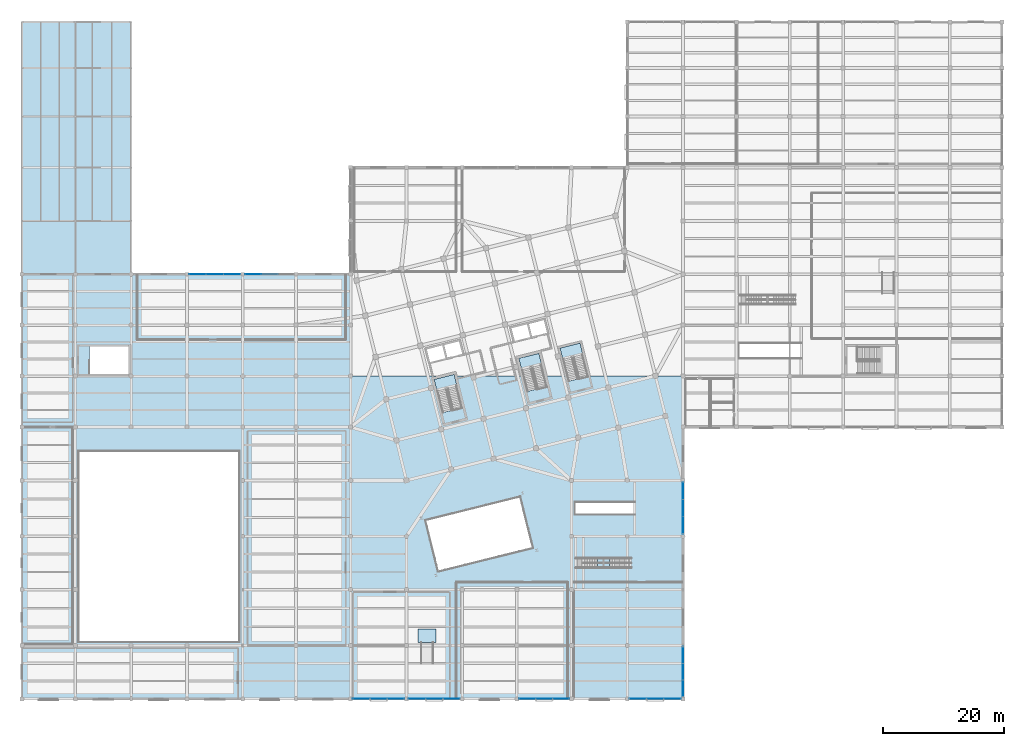
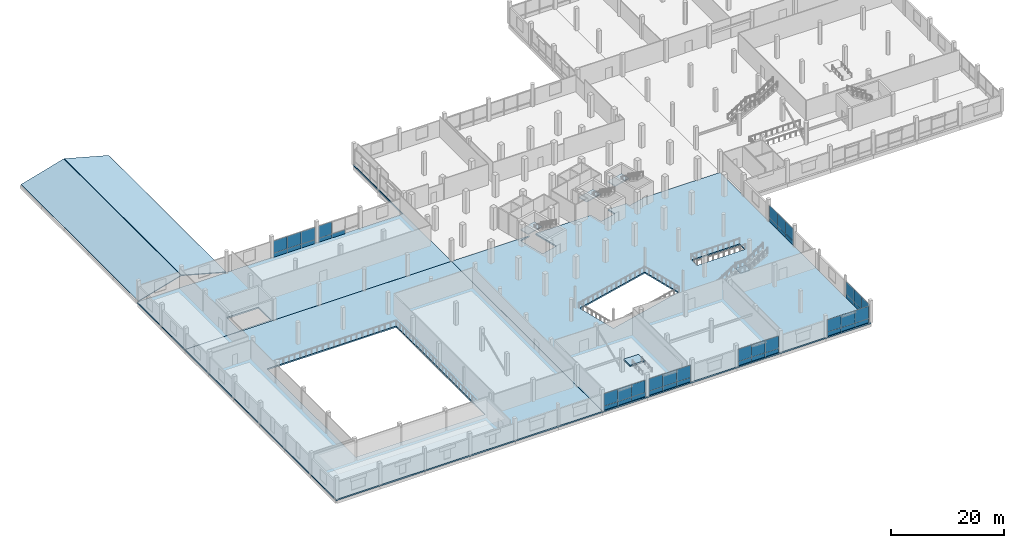
# One storey, part 53 of 71: 45 plates, 10 slabs, 14 elements without a shape of their own.
"""IFC4 building model written with IfcOpenShell, lengths in metres."""

from ifc_helpers import new_model, si_unit, direction, frame, origin, origin_2d, place, context, subcontext, project, spatial, polyline, rectangle, outline, extrude, material, layer, layer_set, type_object, element, aggregate, save


model = new_model("IFC4")

# Units and contexts
model_context = context("Model", 3, precision=1e-05, world=origin(), true_north=direction((0.0, 1.0)))
body_context = subcontext(model_context, "Body", "Model", "MODEL_VIEW")
ifc_project = project(units=[si_unit("LENGTHUNIT", "METRE"), si_unit("AREAUNIT", "SQUARE_METRE"), si_unit("VOLUMEUNIT", "CUBIC_METRE"), si_unit("PLANEANGLEUNIT", "RADIAN"), si_unit("MASSUNIT", "GRAM", prefix="KILO")], contexts=[model_context])

# Site, building, storey
site_placement = place(None, origin())
site = spatial("IfcSite", under=ifc_project, at=site_placement, CompositionType="ELEMENT")
building_placement = place(site_placement, origin())
building = spatial("IfcBuilding", under=site, at=building_placement, Name="Meriwether Solvik Hall", CompositionType="ELEMENT")
storey_placement = place(building_placement, frame((0.0, 0.0, 5.10009765625)))
storey = spatial("IfcBuildingStorey", under=building, at=storey_placement, Name="L01", CompositionType="ELEMENT", Elevation=5.10009765625)

# Curtain wall, plates
ifc_material_1 = material(Name="Thermally Broken Anodised Aluminium 6063-T6 and Low-E Glass", Category="aluminium")
ifc_layer_1 = layer(ifc_material_1, 0.179931640625)
ifc_layer_set_1 = layer_set([ifc_layer_1], Name="Thermally Broken Anodised Aluminium 6063-T6 and Low-E Glass")
curtain_wall_type = type_object("IfcCurtainWallType", Name="CW-SF-POD-B", PredefinedType="USERDEFINED", material=ifc_layer_set_1)
curtain_wall_1_placement = place(storey_placement, origin())
curtain_wall_1 = element("IfcCurtainWall", 1, at=curtain_wall_1_placement, inside=storey, type_object=curtain_wall_type, Name="Curtain Wall wing_XA_7_6 (L01)", ObjectType="STICK STOREFRONT GLAZING", PredefinedType="USERDEFINED")
ifc_material_2 = material(Name="Acoustic Laminated Insulating Glass", Category="glass")
ifc_layer_2 = layer(ifc_material_2, 0.035888671875)
ifc_layer_set_2 = layer_set([ifc_layer_2], Name="Acoustic Laminated Insulating Glass")
plate_type_1 = type_object("IfcPlateType", Name="PLT-GLZ-270X235", PredefinedType="CURTAIN_PANEL", material=ifc_layer_set_2)
plate_1_placement = place(storey_placement, frame((66.822998046875, 5.199951171875, 0.8798828125), z_axis=(0.0, 0.0, 1.0), x_axis=(-1.0, 0.0, 0.0)))
plate_1 = element("IfcPlate", 2, at=plate_1_placement, type_object=plate_type_1, Name="Low-E Vision Glazing Panel 1", PredefinedType="CURTAIN_PANEL", context=body_context, shape_type="SweptSolid", body=[
    extrude(rectangle(XDim=2.7958984375, YDim=0.033935546875, at=origin_2d()), origin(), (0.0, 0.0, 1.0), 2.669921875),
])
plate_2_placement = place(storey_placement, frame((64.0, 5.199951171875, 0.8798828125), z_axis=(0.0, 0.0, 1.0), x_axis=(-1.0, 0.0, 0.0)))
plate_2 = element("IfcPlate", 3, at=plate_2_placement, type_object=plate_type_1, Name="Low-E Vision Glazing Panel 2", PredefinedType="CURTAIN_PANEL", context=body_context, shape_type="SweptSolid", body=[
    extrude(rectangle(XDim=2.833984375, YDim=0.033935546875, at=origin_2d()), origin(), (0.0, 0.0, 1.0), 2.669921875),
])
plate_3_placement = place(storey_placement, frame((61.177001953125, 5.199951171875, 0.8798828125), z_axis=(0.0, 0.0, 1.0), x_axis=(-1.0, 0.0, 0.0)))
plate_3 = element("IfcPlate", 4, at=plate_3_placement, type_object=plate_type_1, Name="Low-E Vision Glazing Panel 3", PredefinedType="CURTAIN_PANEL", context=body_context, shape_type="SweptSolid", body=[
    extrude(rectangle(XDim=2.7958984375, YDim=0.033935546875, at=origin_2d()), origin(), (0.0, 0.0, 1.0), 2.669921875),
])

curtain_wall_2_placement = place(storey_placement, origin())
curtain_wall_2 = element("IfcCurtainWall", 5, at=curtain_wall_2_placement, inside=storey, type_object=curtain_wall_type, Name="Curtain Wall wing_XA_8_7 (L01)", ObjectType="STICK STOREFRONT GLAZING", PredefinedType="USERDEFINED")
plate_4_placement = place(storey_placement, frame((76.02294921875, 5.199951171875, 0.8798828125), z_axis=(0.0, 0.0, 1.0), x_axis=(-1.0, 0.0, 0.0)))
plate_4 = element("IfcPlate", 6, at=plate_4_placement, type_object=plate_type_1, Name="Low-E Vision Glazing Panel 1", PredefinedType="CURTAIN_PANEL", context=body_context, shape_type="SweptSolid", body=[
    extrude(rectangle(XDim=2.7958984375, YDim=0.033935546875, at=origin_2d()), origin(), (0.0, 0.0, 1.0), 2.669921875),
])
plate_5_placement = place(storey_placement, frame((73.199951171875, 5.199951171875, 0.8798828125), z_axis=(0.0, 0.0, 1.0), x_axis=(-1.0, 0.0, 0.0)))
plate_5 = element("IfcPlate", 7, at=plate_5_placement, type_object=plate_type_1, Name="Low-E Vision Glazing Panel 2", PredefinedType="CURTAIN_PANEL", context=body_context, shape_type="SweptSolid", body=[
    extrude(rectangle(XDim=2.833984375, YDim=0.033935546875, at=origin_2d()), origin(), (0.0, 0.0, 1.0), 2.669921875),
])
plate_6_placement = place(storey_placement, frame((70.376953125, 5.199951171875, 0.8798828125), z_axis=(0.0, 0.0, 1.0), x_axis=(-1.0, 0.0, 0.0)))
plate_6 = element("IfcPlate", 8, at=plate_6_placement, type_object=plate_type_1, Name="Low-E Vision Glazing Panel 3", PredefinedType="CURTAIN_PANEL", context=body_context, shape_type="SweptSolid", body=[
    extrude(rectangle(XDim=2.7958984375, YDim=0.033935546875, at=origin_2d()), origin(), (0.0, 0.0, 1.0), 2.669921875),
])

curtain_wall_3_placement = place(storey_placement, origin())
curtain_wall_3 = element("IfcCurtainWall", 9, at=curtain_wall_3_placement, inside=storey, type_object=curtain_wall_type, Name="Curtain Wall wing_XA_10_9 (L01)", ObjectType="STICK STOREFRONT GLAZING", PredefinedType="USERDEFINED")
plate_7_placement = place(storey_placement, frame((94.056396484375, 5.199951171875, 0.8798828125), z_axis=(0.0, 0.0, 1.0), x_axis=(-1.0, 0.0, 0.0)))
plate_7 = element("IfcPlate", 10, at=plate_7_placement, type_object=plate_type_1, Name="Low-E Vision Glazing Panel 1", PredefinedType="CURTAIN_PANEL", context=body_context, shape_type="SweptSolid", body=[
    extrude(rectangle(XDim=2.729248046875, YDim=0.033935546875, at=origin_2d()), origin(), (0.0, 0.0, 1.0), 2.669921875),
])
plate_8_placement = place(storey_placement, frame((91.300048828125, 5.199951171875, 0.8798828125), z_axis=(0.0, 0.0, 1.0), x_axis=(-1.0, 0.0, 0.0)))
plate_8 = element("IfcPlate", 11, at=plate_8_placement, type_object=plate_type_1, Name="Low-E Vision Glazing Panel 2", PredefinedType="CURTAIN_PANEL", context=body_context, shape_type="SweptSolid", body=[
    extrude(rectangle(XDim=2.767333984375, YDim=0.033935546875, at=origin_2d()), origin(), (0.0, 0.0, 1.0), 2.669921875),
])
plate_9_placement = place(storey_placement, frame((88.543701171875, 5.199951171875, 0.8798828125), z_axis=(0.0, 0.0, 1.0), x_axis=(-1.0, 0.0, 0.0)))
plate_9 = element("IfcPlate", 12, at=plate_9_placement, type_object=plate_type_1, Name="Low-E Vision Glazing Panel 3", PredefinedType="CURTAIN_PANEL", context=body_context, shape_type="SweptSolid", body=[
    extrude(rectangle(XDim=2.729248046875, YDim=0.033935546875, at=origin_2d()), origin(), (0.0, 0.0, 1.0), 2.669921875),
])

curtain_wall_4_placement = place(storey_placement, origin())
curtain_wall_4 = element("IfcCurtainWall", 13, at=curtain_wall_4_placement, inside=storey, type_object=curtain_wall_type, Name="Curtain Wall wing_XA_12_11 (L01)", ObjectType="STICK STOREFRONT GLAZING", PredefinedType="USERDEFINED")
plate_10_placement = place(storey_placement, frame((112.423095703125, 5.199951171875, 0.8798828125), z_axis=(0.0, 0.0, 1.0), x_axis=(-1.0, 0.0, 0.0)))
plate_10 = element("IfcPlate", 14, at=plate_10_placement, type_object=plate_type_1, Name="Low-E Vision Glazing Panel 1", PredefinedType="CURTAIN_PANEL", context=body_context, shape_type="SweptSolid", body=[
    extrude(rectangle(XDim=2.7958984375, YDim=0.033935546875, at=origin_2d()), origin(), (0.0, 0.0, 1.0), 2.669921875),
])
plate_11_placement = place(storey_placement, frame((109.60009765625, 5.199951171875, 0.8798828125), z_axis=(0.0, 0.0, 1.0), x_axis=(-1.0, 0.0, 0.0)))
plate_11 = element("IfcPlate", 15, at=plate_11_placement, type_object=plate_type_1, Name="Low-E Vision Glazing Panel 2", PredefinedType="CURTAIN_PANEL", context=body_context, shape_type="SweptSolid", body=[
    extrude(rectangle(XDim=2.833984375, YDim=0.033935546875, at=origin_2d()), origin(), (0.0, 0.0, 1.0), 2.669921875),
])
plate_12_placement = place(storey_placement, frame((106.777099609375, 5.199951171875, 0.8798828125), z_axis=(0.0, 0.0, 1.0), x_axis=(-1.0, 0.0, 0.0)))
plate_12 = element("IfcPlate", 16, at=plate_12_placement, type_object=plate_type_1, Name="Low-E Vision Glazing Panel 3", PredefinedType="CURTAIN_PANEL", context=body_context, shape_type="SweptSolid", body=[
    extrude(rectangle(XDim=2.7958984375, YDim=0.033935546875, at=origin_2d()), origin(), (0.0, 0.0, 1.0), 2.669921875),
])

curtain_wall_5_placement = place(storey_placement, origin())
curtain_wall_5 = element("IfcCurtainWall", 17, at=curtain_wall_5_placement, inside=storey, type_object=curtain_wall_type, Name="Curtain Wall wing_XI_4_21 (L01)", ObjectType="STICK STOREFRONT GLAZING", PredefinedType="USERDEFINED")
plate_13_placement = place(storey_placement, frame((34.177001953125, 75.199951171875, 0.8798828125), z_axis=(0.0, 0.0, 1.0), x_axis=(1.0, 0.0, 0.0)))
plate_13 = element("IfcPlate", 18, at=plate_13_placement, type_object=plate_type_1, Name="Low-E Vision Glazing Panel 1", PredefinedType="CURTAIN_PANEL", context=body_context, shape_type="SweptSolid", body=[
    extrude(rectangle(XDim=2.7958984375, YDim=0.033935546875, at=origin_2d()), origin(), (0.0, 0.0, 1.0), 2.669921875),
])
plate_14_placement = place(storey_placement, frame((37.0, 75.199951171875, 0.8798828125), z_axis=(0.0, 0.0, 1.0), x_axis=(1.0, 0.0, 0.0)))
plate_14 = element("IfcPlate", 19, at=plate_14_placement, type_object=plate_type_1, Name="Low-E Vision Glazing Panel 2", PredefinedType="CURTAIN_PANEL", context=body_context, shape_type="SweptSolid", body=[
    extrude(rectangle(XDim=2.833984375, YDim=0.033935546875, at=origin_2d()), origin(), (0.0, 0.0, 1.0), 2.669921875),
])
plate_15_placement = place(storey_placement, frame((39.822998046875, 75.199951171875, 0.8798828125), z_axis=(0.0, 0.0, 1.0), x_axis=(1.0, 0.0, 0.0)))
plate_15 = element("IfcPlate", 20, at=plate_15_placement, type_object=plate_type_1, Name="Low-E Vision Glazing Panel 3", PredefinedType="CURTAIN_PANEL", context=body_context, shape_type="SweptSolid", body=[
    extrude(rectangle(XDim=2.7958984375, YDim=0.033935546875, at=origin_2d()), origin(), (0.0, 0.0, 1.0), 2.669921875),
])

# Curtain wall, plate
curtain_wall_6_placement = place(storey_placement, origin())
curtain_wall_6 = element("IfcCurtainWall", 21, at=curtain_wall_6_placement, inside=storey, type_object=curtain_wall_type, Name="Curtain Wall wing_XI_5_22 (L01)", ObjectType="STICK STOREFRONT GLAZING", PredefinedType="USERDEFINED")
plate_16_placement = place(storey_placement, frame((43.310302734375, 75.199951171875, 0.8798828125), z_axis=(0.0, 0.0, 1.0), x_axis=(1.0, 0.0, 0.0)))
plate_16 = element("IfcPlate", 22, at=plate_16_placement, type_object=plate_type_1, Name="Low-E Vision Glazing Panel 1", PredefinedType="CURTAIN_PANEL", context=body_context, shape_type="SweptSolid", body=[
    extrude(rectangle(XDim=2.66259765625, YDim=0.033935546875, at=origin_2d()), origin(), (0.0, 0.0, 1.0), 2.669921875),
])

# Curtain wall, plates
curtain_wall_7_placement = place(storey_placement, origin())
curtain_wall_7 = element("IfcCurtainWall", 23, at=curtain_wall_7_placement, inside=storey, type_object=curtain_wall_type, Name="Curtain Wall wing_Y13_1_49 (L01)", ObjectType="STICK STOREFRONT GLAZING", PredefinedType="USERDEFINED")
plate_17_placement = place(storey_placement, frame((114.199951171875, 12.412109375, 0.8798828125), z_axis=(0.0, 0.0, 1.0), x_axis=(0.0, -1.0, 0.0)))
plate_17 = element("IfcPlate", 24, at=plate_17_placement, type_object=plate_type_1, Name="Low-E Vision Glazing Panel 1", PredefinedType="CURTAIN_PANEL", context=body_context, shape_type="SweptSolid", body=[
    extrude(rectangle(XDim=2.711669921875, YDim=0.033935546875, at=origin_2d()), origin(), (0.0, 0.0, 1.0), 2.669921875),
])
plate_18_placement = place(storey_placement, frame((114.199951171875, 9.673583984375, 0.8798828125), z_axis=(0.0, 0.0, 1.0), x_axis=(0.0, -1.0, 0.0)))
plate_18 = element("IfcPlate", 25, at=plate_18_placement, type_object=plate_type_1, Name="Low-E Vision Glazing Panel 2", PredefinedType="CURTAIN_PANEL", context=body_context, shape_type="SweptSolid", body=[
    extrude(rectangle(XDim=2.749755859375, YDim=0.033935546875, at=origin_2d()), origin(), (0.0, 0.0, 1.0), 2.669921875),
])
plate_19_placement = place(storey_placement, frame((114.199951171875, 6.934814453125, 0.8798828125), z_axis=(0.0, 0.0, 1.0), x_axis=(0.0, -1.0, 0.0)))
plate_19 = element("IfcPlate", 26, at=plate_19_placement, type_object=plate_type_1, Name="Low-E Vision Glazing Panel 3", PredefinedType="CURTAIN_PANEL", context=body_context, shape_type="SweptSolid", body=[
    extrude(rectangle(XDim=2.711669921875, YDim=0.033935546875, at=origin_2d()), origin(), (0.0, 0.0, 1.0), 2.669921875),
])

curtain_wall_8_placement = place(storey_placement, origin())
curtain_wall_8 = element("IfcCurtainWall", 27, at=curtain_wall_8_placement, inside=storey, type_object=curtain_wall_type, Name="Curtain Wall wing_Y13_4_52 (L01)", ObjectType="STICK STOREFRONT GLAZING", PredefinedType="USERDEFINED")
plate_20_placement = place(storey_placement, frame((114.199951171875, 39.431396484375, 0.8798828125), z_axis=(0.0, 0.0, 1.0), x_axis=(0.0, -1.0, 0.0)))
plate_20 = element("IfcPlate", 28, at=plate_20_placement, type_object=plate_type_1, Name="Low-E Vision Glazing Panel 1", PredefinedType="CURTAIN_PANEL", context=body_context, shape_type="SweptSolid", body=[
    extrude(rectangle(XDim=2.779296875, YDim=0.033935546875, at=origin_2d()), origin(), (0.0, 0.0, 1.0), 2.669921875),
])
plate_21_placement = place(storey_placement, frame((114.199951171875, 36.625, 0.8798828125), z_axis=(0.0, 0.0, 1.0), x_axis=(0.0, -1.0, 0.0)))
plate_21 = element("IfcPlate", 29, at=plate_21_placement, type_object=plate_type_1, Name="Low-E Vision Glazing Panel 2", PredefinedType="CURTAIN_PANEL", context=body_context, shape_type="SweptSolid", body=[
    extrude(rectangle(XDim=2.8173828125, YDim=0.033935546875, at=origin_2d()), origin(), (0.0, 0.0, 1.0), 2.669921875),
])
plate_22_placement = place(storey_placement, frame((114.199951171875, 33.818603515625, 0.8798828125), z_axis=(0.0, 0.0, 1.0), x_axis=(0.0, -1.0, 0.0)))
plate_22 = element("IfcPlate", 30, at=plate_22_placement, type_object=plate_type_1, Name="Low-E Vision Glazing Panel 3", PredefinedType="CURTAIN_PANEL", context=body_context, shape_type="SweptSolid", body=[
    extrude(rectangle(XDim=2.779296875, YDim=0.033935546875, at=origin_2d()), origin(), (0.0, 0.0, 1.0), 2.669921875),
])

# Plate
ifc_material_3 = material(Name="Mineral-Wool Insulated Anodised Aluminium 6063-T6", Category="aluminium")
ifc_layer_3 = layer(ifc_material_3, 0.044921875)
ifc_layer_set_3 = layer_set([ifc_layer_3], Name="Mineral-Wool Insulated Anodised Aluminium 6063-T6")
plate_type_2 = type_object("IfcPlateType", Name="PLT-SPN-270X105", PredefinedType="CURTAIN_PANEL", material=ifc_layer_set_3)
plate_23_placement = place(storey_placement, frame((66.822998046875, 5.199951171875, 0.0), z_axis=(0.0, 0.0, 1.0), x_axis=(-1.0, 0.0, 0.0)))
plate_23 = element("IfcPlate", 31, at=plate_23_placement, type_object=plate_type_2, Name="Insulated Spandrel Panel 1", PredefinedType="CURTAIN_PANEL", context=body_context, shape_type="SweptSolid", body=[
    extrude(rectangle(XDim=2.7958984375, YDim=0.044921875, at=origin_2d()), origin(), (0.0, 0.0, 1.0), 0.8798828125),
])

plate_24_placement = place(storey_placement, frame((64.0, 5.199951171875, 0.0), z_axis=(0.0, 0.0, 1.0), x_axis=(-1.0, 0.0, 0.0)))
plate_24 = element("IfcPlate", 32, at=plate_24_placement, type_object=plate_type_2, Name="Insulated Spandrel Panel 2", PredefinedType="CURTAIN_PANEL", context=body_context, shape_type="SweptSolid", body=[
    extrude(rectangle(XDim=2.833984375, YDim=0.044921875, at=origin_2d()), origin(), (0.0, 0.0, 1.0), 0.8798828125),
])

plate_25_placement = place(storey_placement, frame((61.177001953125, 5.199951171875, 0.0), z_axis=(0.0, 0.0, 1.0), x_axis=(-1.0, 0.0, 0.0)))
plate_25 = element("IfcPlate", 33, at=plate_25_placement, type_object=plate_type_2, Name="Insulated Spandrel Panel 3", PredefinedType="CURTAIN_PANEL", context=body_context, shape_type="SweptSolid", body=[
    extrude(rectangle(XDim=2.7958984375, YDim=0.044921875, at=origin_2d()), origin(), (0.0, 0.0, 1.0), 0.8798828125),
])

aggregate(curtain_wall_1, [plate_23, plate_1, plate_24, plate_2, plate_25, plate_3])

plate_26_placement = place(storey_placement, frame((76.02294921875, 5.199951171875, 0.0), z_axis=(0.0, 0.0, 1.0), x_axis=(-1.0, 0.0, 0.0)))
plate_26 = element("IfcPlate", 34, at=plate_26_placement, type_object=plate_type_2, Name="Insulated Spandrel Panel 1", PredefinedType="CURTAIN_PANEL", context=body_context, shape_type="SweptSolid", body=[
    extrude(rectangle(XDim=2.7958984375, YDim=0.044921875, at=origin_2d()), origin(), (0.0, 0.0, 1.0), 0.8798828125),
])

plate_27_placement = place(storey_placement, frame((73.199951171875, 5.199951171875, 0.0), z_axis=(0.0, 0.0, 1.0), x_axis=(-1.0, 0.0, 0.0)))
plate_27 = element("IfcPlate", 35, at=plate_27_placement, type_object=plate_type_2, Name="Insulated Spandrel Panel 2", PredefinedType="CURTAIN_PANEL", context=body_context, shape_type="SweptSolid", body=[
    extrude(rectangle(XDim=2.833984375, YDim=0.044921875, at=origin_2d()), origin(), (0.0, 0.0, 1.0), 0.8798828125),
])

plate_28_placement = place(storey_placement, frame((70.376953125, 5.199951171875, 0.0), z_axis=(0.0, 0.0, 1.0), x_axis=(-1.0, 0.0, 0.0)))
plate_28 = element("IfcPlate", 36, at=plate_28_placement, type_object=plate_type_2, Name="Insulated Spandrel Panel 3", PredefinedType="CURTAIN_PANEL", context=body_context, shape_type="SweptSolid", body=[
    extrude(rectangle(XDim=2.7958984375, YDim=0.044921875, at=origin_2d()), origin(), (0.0, 0.0, 1.0), 0.8798828125),
])

aggregate(curtain_wall_2, [plate_26, plate_4, plate_27, plate_5, plate_28, plate_6])

plate_29_placement = place(storey_placement, frame((94.056396484375, 5.199951171875, 0.0), z_axis=(0.0, 0.0, 1.0), x_axis=(-1.0, 0.0, 0.0)))
plate_29 = element("IfcPlate", 37, at=plate_29_placement, type_object=plate_type_2, Name="Insulated Spandrel Panel 1", PredefinedType="CURTAIN_PANEL", context=body_context, shape_type="SweptSolid", body=[
    extrude(rectangle(XDim=2.729248046875, YDim=0.044921875, at=origin_2d()), origin(), (0.0, 0.0, 1.0), 0.8798828125),
])

plate_30_placement = place(storey_placement, frame((91.300048828125, 5.199951171875, 0.0), z_axis=(0.0, 0.0, 1.0), x_axis=(-1.0, 0.0, 0.0)))
plate_30 = element("IfcPlate", 38, at=plate_30_placement, type_object=plate_type_2, Name="Insulated Spandrel Panel 2", PredefinedType="CURTAIN_PANEL", context=body_context, shape_type="SweptSolid", body=[
    extrude(rectangle(XDim=2.767333984375, YDim=0.044921875, at=origin_2d()), origin(), (0.0, 0.0, 1.0), 0.8798828125),
])

plate_31_placement = place(storey_placement, frame((88.543701171875, 5.199951171875, 0.0), z_axis=(0.0, 0.0, 1.0), x_axis=(-1.0, 0.0, 0.0)))
plate_31 = element("IfcPlate", 39, at=plate_31_placement, type_object=plate_type_2, Name="Insulated Spandrel Panel 3", PredefinedType="CURTAIN_PANEL", context=body_context, shape_type="SweptSolid", body=[
    extrude(rectangle(XDim=2.729248046875, YDim=0.044921875, at=origin_2d()), origin(), (0.0, 0.0, 1.0), 0.8798828125),
])

aggregate(curtain_wall_3, [plate_29, plate_7, plate_30, plate_8, plate_31, plate_9])

plate_32_placement = place(storey_placement, frame((112.423095703125, 5.199951171875, 0.0), z_axis=(0.0, 0.0, 1.0), x_axis=(-1.0, 0.0, 0.0)))
plate_32 = element("IfcPlate", 40, at=plate_32_placement, type_object=plate_type_2, Name="Insulated Spandrel Panel 1", PredefinedType="CURTAIN_PANEL", context=body_context, shape_type="SweptSolid", body=[
    extrude(rectangle(XDim=2.7958984375, YDim=0.044921875, at=origin_2d()), origin(), (0.0, 0.0, 1.0), 0.8798828125),
])

plate_33_placement = place(storey_placement, frame((109.60009765625, 5.199951171875, 0.0), z_axis=(0.0, 0.0, 1.0), x_axis=(-1.0, 0.0, 0.0)))
plate_33 = element("IfcPlate", 41, at=plate_33_placement, type_object=plate_type_2, Name="Insulated Spandrel Panel 2", PredefinedType="CURTAIN_PANEL", context=body_context, shape_type="SweptSolid", body=[
    extrude(rectangle(XDim=2.833984375, YDim=0.044921875, at=origin_2d()), origin(), (0.0, 0.0, 1.0), 0.8798828125),
])

plate_34_placement = place(storey_placement, frame((106.777099609375, 5.199951171875, 0.0), z_axis=(0.0, 0.0, 1.0), x_axis=(-1.0, 0.0, 0.0)))
plate_34 = element("IfcPlate", 42, at=plate_34_placement, type_object=plate_type_2, Name="Insulated Spandrel Panel 3", PredefinedType="CURTAIN_PANEL", context=body_context, shape_type="SweptSolid", body=[
    extrude(rectangle(XDim=2.7958984375, YDim=0.044921875, at=origin_2d()), origin(), (0.0, 0.0, 1.0), 0.8798828125),
])

aggregate(curtain_wall_4, [plate_32, plate_10, plate_33, plate_11, plate_34, plate_12])

plate_35_placement = place(storey_placement, frame((34.177001953125, 75.199951171875, 0.0), z_axis=(0.0, 0.0, 1.0), x_axis=(1.0, 0.0, 0.0)))
plate_35 = element("IfcPlate", 43, at=plate_35_placement, type_object=plate_type_2, Name="Insulated Spandrel Panel 1", PredefinedType="CURTAIN_PANEL", context=body_context, shape_type="SweptSolid", body=[
    extrude(rectangle(XDim=2.7958984375, YDim=0.044921875, at=origin_2d()), origin(), (0.0, 0.0, 1.0), 0.8798828125),
])

plate_36_placement = place(storey_placement, frame((37.0, 75.199951171875, 0.0), z_axis=(0.0, 0.0, 1.0), x_axis=(1.0, 0.0, 0.0)))
plate_36 = element("IfcPlate", 44, at=plate_36_placement, type_object=plate_type_2, Name="Insulated Spandrel Panel 2", PredefinedType="CURTAIN_PANEL", context=body_context, shape_type="SweptSolid", body=[
    extrude(rectangle(XDim=2.833984375, YDim=0.044921875, at=origin_2d()), origin(), (0.0, 0.0, 1.0), 0.8798828125),
])

plate_37_placement = place(storey_placement, frame((39.822998046875, 75.199951171875, 0.0), z_axis=(0.0, 0.0, 1.0), x_axis=(1.0, 0.0, 0.0)))
plate_37 = element("IfcPlate", 45, at=plate_37_placement, type_object=plate_type_2, Name="Insulated Spandrel Panel 3", PredefinedType="CURTAIN_PANEL", context=body_context, shape_type="SweptSolid", body=[
    extrude(rectangle(XDim=2.7958984375, YDim=0.044921875, at=origin_2d()), origin(), (0.0, 0.0, 1.0), 0.8798828125),
])

aggregate(curtain_wall_5, [plate_35, plate_13, plate_36, plate_14, plate_37, plate_15])

plate_38_placement = place(storey_placement, frame((43.310302734375, 75.199951171875, 0.0), z_axis=(0.0, 0.0, 1.0), x_axis=(1.0, 0.0, 0.0)))
plate_38 = element("IfcPlate", 46, at=plate_38_placement, type_object=plate_type_2, Name="Insulated Spandrel Panel 1", PredefinedType="CURTAIN_PANEL", context=body_context, shape_type="SweptSolid", body=[
    extrude(rectangle(XDim=2.66259765625, YDim=0.044921875, at=origin_2d()), origin(), (0.0, 0.0, 1.0), 0.8798828125),
])

plate_39_placement = place(storey_placement, frame((46.0, 75.199951171875, 0.0), z_axis=(0.0, 0.0, 1.0), x_axis=(1.0, 0.0, 0.0)))
plate_39 = element("IfcPlate", 47, at=plate_39_placement, type_object=plate_type_2, Name="Insulated Spandrel Panel 2", PredefinedType="CURTAIN_PANEL", context=body_context, shape_type="SweptSolid", body=[
    extrude(rectangle(XDim=2.70068359375, YDim=0.044921875, at=origin_2d()), origin(), (0.0, 0.0, 1.0), 0.8798828125),
])

aggregate(curtain_wall_6, [plate_38, plate_16, plate_39])

plate_40_placement = place(storey_placement, frame((114.199951171875, 12.412109375, 0.0), z_axis=(0.0, 0.0, 1.0), x_axis=(0.0, -1.0, 0.0)))
plate_40 = element("IfcPlate", 48, at=plate_40_placement, type_object=plate_type_2, Name="Insulated Spandrel Panel 1", PredefinedType="CURTAIN_PANEL", context=body_context, shape_type="SweptSolid", body=[
    extrude(rectangle(XDim=2.711669921875, YDim=0.044921875, at=origin_2d()), origin(), (0.0, 0.0, 1.0), 0.8798828125),
])

plate_41_placement = place(storey_placement, frame((114.199951171875, 9.673583984375, 0.0), z_axis=(0.0, 0.0, 1.0), x_axis=(0.0, -1.0, 0.0)))
plate_41 = element("IfcPlate", 49, at=plate_41_placement, type_object=plate_type_2, Name="Insulated Spandrel Panel 2", PredefinedType="CURTAIN_PANEL", context=body_context, shape_type="SweptSolid", body=[
    extrude(rectangle(XDim=2.749755859375, YDim=0.044921875, at=origin_2d()), origin(), (0.0, 0.0, 1.0), 0.8798828125),
])

plate_42_placement = place(storey_placement, frame((114.199951171875, 6.934814453125, 0.0), z_axis=(0.0, 0.0, 1.0), x_axis=(0.0, -1.0, 0.0)))
plate_42 = element("IfcPlate", 50, at=plate_42_placement, type_object=plate_type_2, Name="Insulated Spandrel Panel 3", PredefinedType="CURTAIN_PANEL", context=body_context, shape_type="SweptSolid", body=[
    extrude(rectangle(XDim=2.711669921875, YDim=0.044921875, at=origin_2d()), origin(), (0.0, 0.0, 1.0), 0.8798828125),
])

aggregate(curtain_wall_7, [plate_40, plate_17, plate_41, plate_18, plate_42, plate_19])

plate_43_placement = place(storey_placement, frame((114.199951171875, 39.431396484375, 0.0), z_axis=(0.0, 0.0, 1.0), x_axis=(0.0, -1.0, 0.0)))
plate_43 = element("IfcPlate", 51, at=plate_43_placement, type_object=plate_type_2, Name="Insulated Spandrel Panel 1", PredefinedType="CURTAIN_PANEL", context=body_context, shape_type="SweptSolid", body=[
    extrude(rectangle(XDim=2.779296875, YDim=0.044921875, at=origin_2d()), origin(), (0.0, 0.0, 1.0), 0.8798828125),
])

plate_44_placement = place(storey_placement, frame((114.199951171875, 36.625, 0.0), z_axis=(0.0, 0.0, 1.0), x_axis=(0.0, -1.0, 0.0)))
plate_44 = element("IfcPlate", 52, at=plate_44_placement, type_object=plate_type_2, Name="Insulated Spandrel Panel 2", PredefinedType="CURTAIN_PANEL", context=body_context, shape_type="SweptSolid", body=[
    extrude(rectangle(XDim=2.8173828125, YDim=0.044921875, at=origin_2d()), origin(), (0.0, 0.0, 1.0), 0.8798828125),
])

plate_45_placement = place(storey_placement, frame((114.199951171875, 33.818603515625, 0.0), z_axis=(0.0, 0.0, 1.0), x_axis=(0.0, -1.0, 0.0)))
plate_45 = element("IfcPlate", 53, at=plate_45_placement, type_object=plate_type_2, Name="Insulated Spandrel Panel 3", PredefinedType="CURTAIN_PANEL", context=body_context, shape_type="SweptSolid", body=[
    extrude(rectangle(XDim=2.779296875, YDim=0.044921875, at=origin_2d()), origin(), (0.0, 0.0, 1.0), 0.8798828125),
])

aggregate(curtain_wall_8, [plate_43, plate_20, plate_44, plate_21, plate_45, plate_22])

# Slab
ifc_material_4 = material(Name="Concrete C40/50", Category="concrete")
ifc_layer_4 = layer(ifc_material_4, 0.280029296875)
ifc_layer_set_4 = layer_set([ifc_layer_4], Name="Concrete C40/50")
slab_type_1 = type_object("IfcSlabType", Name="SLB-DAIS-280", PredefinedType="FLOOR", material=ifc_layer_set_4)
slab_1_placement = place(storey_placement, origin())
element("IfcSlab", 54, at=slab_1_placement, inside=storey, type_object=slab_type_1, Name="Accessible Speaker Dais AR3 (L01)", PredefinedType="FLOOR", context=body_context, shape_type="SweptSolid", body=[
    extrude(outline(polyline([(70.5, 14.48193359375), (73.5, 14.48193359375), (73.5, 16.739990234375), (70.5, 16.739990234375), (70.5, 14.48193359375)])), origin(), (0.0, 0.0, 1.0), 0.27978515625),
])

# Stair, slab
ifc_material_5 = material(Name="Glulam Douglas-Fir 24F-V8 GL28h", Category="wood")
stair_type_1 = type_object("IfcStairType", Name="STR-OPEN-ATRIUM", PredefinedType="TWO_STRAIGHT_RUN_STAIR", material=ifc_material_5)
stair_1_placement = place(storey_placement, origin())
stair_1 = element("IfcStair", 55, at=stair_1_placement, inside=storey, type_object=stair_type_1, Name="Architectural Stair ST-AT2 (L01-L02)", PredefinedType="TWO_STRAIGHT_RUN_STAIR")
ifc_material_6 = material(Name="Cross-Laminated Timber PRG 320 E1", Category="wood")
ifc_layer_5 = layer(ifc_material_6, 0.175048828125)
ifc_layer_set_5 = layer_set([ifc_layer_5], Name="Cross-Laminated Timber PRG 320 E1")
slab_type_2 = type_object("IfcSlabType", Name="SLB-LND-175", PredefinedType="LANDING", material=ifc_layer_set_5)
slab_2_placement = place(storey_placement, frame((0.0, 0.0, 2.224853515625)))
slab_2 = element("IfcSlab", 56, at=slab_2_placement, type_object=slab_type_2, Name="Stair ST-AT2 Intermediate Landing", PredefinedType="LANDING", context=body_context, shape_type="SweptSolid", body=[
    extrude(outline(polyline([(100.1220703125, 26.699951171875), (102.05810546875, 26.699951171875), (102.05810546875, 28.5), (100.1220703125, 28.5), (100.1220703125, 26.699951171875)])), origin(), (0.0, 0.0, 1.0), 0.175048828125),
])
aggregate(stair_1, [slab_2])

ifc_material_7 = material(Name="Concrete C40/50", Category="concrete")
stair_type_2 = type_object("IfcStairType", Name="STR-CORE-DOGLEG-B", PredefinedType="TWO_STRAIGHT_RUN_STAIR", material=ifc_material_7)
stair_2_placement = place(storey_placement, origin())
stair_2 = element("IfcStair", 57, at=stair_2_placement, inside=storey, type_object=stair_type_2, Name="Exit Stair ST-01 (L01)", PredefinedType="TWO_STRAIGHT_RUN_STAIR")
ifc_material_8 = material(Name="Concrete C40/50", Category="concrete")
ifc_layer_6 = layer(ifc_material_8, 0.199951171875)
ifc_layer_set_6 = layer_set([ifc_layer_6], Name="Concrete C40/50")
slab_type_3 = type_object("IfcSlabType", Name="SLB-LND-200", PredefinedType="LANDING", material=ifc_layer_set_6)
slab_3_placement = place(storey_placement, frame((0.0, 0.0, 2.199951171875)))
slab_3 = element("IfcSlab", 58, at=slab_3_placement, type_object=slab_type_3, Name="Stair ST-01 Half Landing (L01)", PredefinedType="LANDING", context=body_context, shape_type="SweptSolid", body=[
    extrude(outline(polyline([(73.628173828125, 55.94140625), (76.936767578125, 56.766357421875), (76.460693359375, 58.67578125), (73.152099609375, 57.850830078125), (73.628173828125, 55.94140625)])), origin(), (0.0, 0.0, 1.0), 0.199951171875),
])
aggregate(stair_2, [slab_3])

stair_3_placement = place(storey_placement, origin())
stair_3 = element("IfcStair", 59, at=stair_3_placement, inside=storey, type_object=stair_type_2, Name="Exit Stair ST-02 (L01)", PredefinedType="TWO_STRAIGHT_RUN_STAIR")
slab_4_placement = place(storey_placement, frame((0.0, 0.0, 2.199951171875)))
slab_4 = element("IfcSlab", 60, at=slab_4_placement, type_object=slab_type_3, Name="Stair ST-02 Half Landing (L01)", PredefinedType="LANDING", context=body_context, shape_type="SweptSolid", body=[
    extrude(outline(polyline([(87.600341796875, 59.425048828125), (90.9091796875, 60.25), (90.432861328125, 62.159423828125), (87.124267578125, 61.33447265625), (87.600341796875, 59.425048828125)])), origin(), (0.0, 0.0, 1.0), 0.199951171875),
])
aggregate(stair_3, [slab_4])

stair_4_placement = place(storey_placement, origin())
stair_4 = element("IfcStair", 61, at=stair_4_placement, inside=storey, type_object=stair_type_2, Name="Exit Stair ST-03 (L01)", PredefinedType="TWO_STRAIGHT_RUN_STAIR")
slab_5_placement = place(storey_placement, frame((0.0, 0.0, 2.199951171875)))
slab_5 = element("IfcSlab", 62, at=slab_5_placement, type_object=slab_type_3, Name="Stair ST-03 Half Landing (L01)", PredefinedType="LANDING", context=body_context, shape_type="SweptSolid", body=[
    extrude(outline(polyline([(94.392333984375, 61.118408203125), (97.701171875, 61.943359375), (97.22509765625, 63.85302734375), (93.916259765625, 63.028076171875), (94.392333984375, 61.118408203125)])), origin(), (0.0, 0.0, 1.0), 0.199951171875),
])
aggregate(stair_4, [slab_5])

# Slabs
ifc_material_9 = material(Name="Concrete C40/50", Category="concrete")
ifc_layer_7 = layer(ifc_material_9, 0.300048828125)
ifc_layer_set_7 = layer_set([ifc_layer_7], Name="Concrete C40/50")
slab_type_4 = type_object("IfcSlabType", Name="SLB-RC-300", PredefinedType="FLOOR", material=ifc_layer_set_7)
slab_6_placement = place(storey_placement, frame((0.0, 0.0, -0.300048828125)))
element("IfcSlab", 63, at=slab_6_placement, inside=storey, type_object=slab_type_4, Name="L01 Structural Slab Zone 1", PredefinedType="FLOOR", context=body_context, shape_type="SweptSolid", body=[
    extrude(outline(polyline([(59.39697265625, 5.0400390625), (5.0400390625, 5.0400390625), (5.0400390625, 58.39697265625), (59.39697265625, 58.39697265625), (59.39697265625, 5.0400390625)]), holes=[polyline([(41.0, 46.0), (14.60009765625, 46.0), (14.60009765625, 14.60009765625), (41.0, 14.60009765625), (41.0, 46.0)])]), origin(), (0.0, 0.0, 1.0), 0.300048828125),
])
slab_7_placement = place(storey_placement, frame((0.0, 0.0, -0.300048828125)))
element("IfcSlab", 64, at=slab_7_placement, inside=storey, type_object=slab_type_4, Name="L01 Structural Slab Zone 2", PredefinedType="FLOOR", context=body_context, shape_type="SweptSolid", body=[
    extrude(outline(polyline([(5.0400390625, 58.403076171875), (5.0400390625, 75.360107421875), (59.239990234375, 75.360107421875), (59.239990234375, 92.9599609375), (59.39697265625, 92.9599609375), (59.39697265625, 58.403076171875), (5.0400390625, 58.403076171875)]), holes=[polyline([(22.800048828125, 63.25), (16.367919921875, 63.25), (16.367919921875, 58.75), (22.800048828125, 58.75), (22.800048828125, 63.25)])]), origin(), (0.0, 0.0, 1.0), 0.300048828125),
])
slab_8_placement = place(storey_placement, frame((0.0, 0.0, -0.300048828125)))
element("IfcSlab", 65, at=slab_8_placement, inside=storey, type_object=slab_type_4, Name="L01 Structural Slab Zone 3", PredefinedType="FLOOR", context=body_context, shape_type="SweptSolid", body=[
    extrude(outline(polyline([(75.36328125, 58.39697265625), (73.157958984375, 57.84716796875), (74.5205078125, 52.382568359375), (77.819580078125, 53.205078125), (76.525146484375, 58.39697265625), (87.86181640625, 58.39697265625), (88.492919921875, 55.8662109375), (91.791748046875, 56.688720703125), (91.365966796875, 58.39697265625), (95.076171875, 58.39697265625), (95.284912109375, 57.5595703125), (98.583984375, 58.382080078125), (98.580322265625, 58.39697265625), (114.197021484375, 58.39697265625), (114.197021484375, 5.0400390625), (59.403076171875, 5.0400390625), (59.403076171875, 58.39697265625), (75.36328125, 58.39697265625)]), holes=[polyline([(89.402587890625, 30.10302734375), (87.322021484375, 38.447509765625), (71.79736328125, 34.57666015625), (73.8779296875, 26.232177734375), (89.402587890625, 30.10302734375)]), polyline([(106.221923828125, 35.6201171875), (106.221923828125, 37.580078125), (96.39990234375, 37.580078125), (96.39990234375, 35.6201171875), (106.221923828125, 35.6201171875)])]), origin(), (0.0, 0.0, 1.0), 0.300048828125),
])

# Roof, slab
ifc_material_10 = material(Name="Cross-Laminated Timber PRG 320 E1", Category="wood")
ifc_layer_8 = layer(ifc_material_10, 0.2451171875)
ifc_layer_set_8 = layer_set([ifc_layer_8], Name="Cross-Laminated Timber PRG 320 E1")
roof_type = type_object("IfcRoofType", Name="ROOF-GABLE-CLT", PredefinedType="GABLE_ROOF", material=ifc_layer_set_8)
roof_1_placement = place(storey_placement, origin())
roof_1 = element("IfcRoof", 66, at=roof_1_placement, inside=storey, type_object=roof_type, Name="Pitched Mass-Timber Roof w0_gbl_w (L01)", PredefinedType="GABLE_ROOF")
ifc_material_11 = material(Name="Cross-Laminated Timber PRG 320 E1", Category="wood")
ifc_layer_9 = layer(ifc_material_11, 0.159912109375)
ifc_layer_set_9 = layer_set([ifc_layer_9], Name="Cross-Laminated Timber PRG 320 E1")
slab_type_5 = type_object("IfcSlabType", Name="SLB-ROOF-160", PredefinedType="ROOF", material=ifc_layer_set_9)
slab_9_placement = place(storey_placement, frame((5.2548828125, 75.2548828125, 0.1748046875), z_axis=(-0.274421397659, 0.0, 0.961609534326), x_axis=(0.961609534326, 0.0, 0.274421397659)))
slab_9 = element("IfcSlab", 67, at=slab_9_placement, type_object=slab_type_5, Name="Sloped CLT Roof Deck w0_gbl_w (L01)", PredefinedType="ROOF", context=body_context, shape_type="SweptSolid", body=[
    extrude(outline(polyline([(0.0, 0.0), (9.037124983339371, 0.0), (9.037124983339371, 41.49023437499999), (0.0, 41.49023437499999), (0.0, 0.0)])), origin(), (0.0, 0.0, -1.0), 0.159912109375),
])
aggregate(roof_1, [slab_9])

roof_2_placement = place(storey_placement, origin())
roof_2 = element("IfcRoof", 68, at=roof_2_placement, inside=storey, type_object=roof_type, Name="Pitched Mass-Timber Roof w0_gbl_e (L01)", PredefinedType="GABLE_ROOF")
slab_10_placement = place(storey_placement, frame((14.054931640625, 75.2548828125, 2.65478515625), z_axis=(0.263202910725, 0.0, 0.96474049764), x_axis=(0.96474049764, 0.0, -0.263202910725)))
slab_10 = element("IfcSlab", 69, at=slab_10_placement, type_object=slab_type_5, Name="Sloped CLT Roof Deck w0_gbl_e (L01)", PredefinedType="ROOF", context=body_context, shape_type="SweptSolid", body=[
    extrude(outline(polyline([(0.0, 0.0), (9.422313993105343, 0.0), (9.422313993105343, 41.490234375), (0.0, 41.490234375), (0.0, 0.0)])), origin(), (0.0, 0.0, -1.0), 0.159912109375),
])
aggregate(roof_2, [slab_10])

save(model, "model.ifc")
